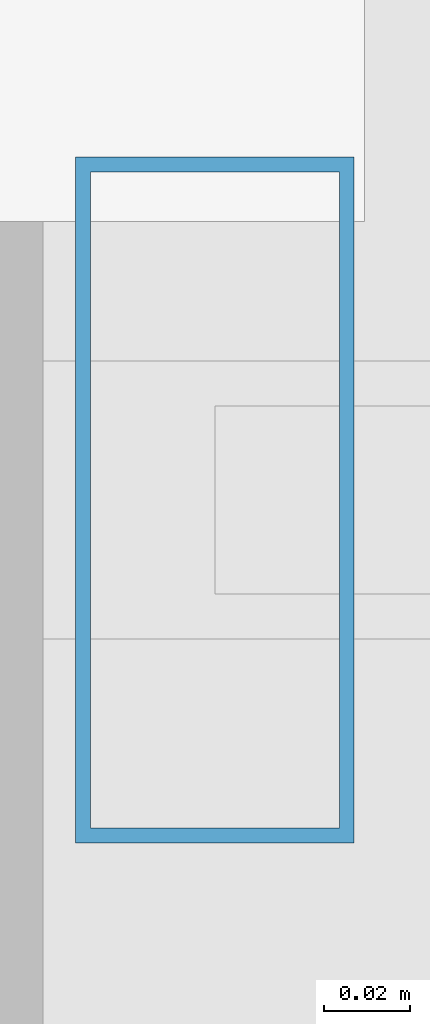
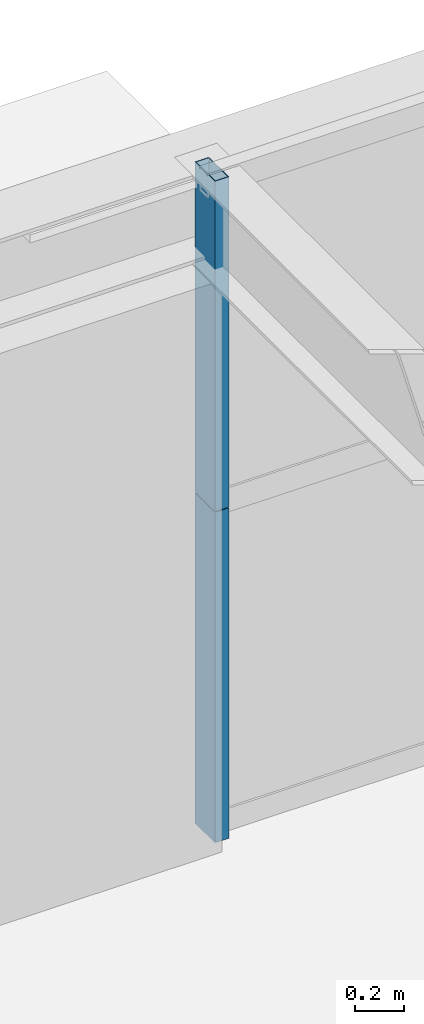
# One storey, part 25 of 37: 2 members, 1 element without a shape of its own.
"""IFC4 building model written with IfcOpenShell, lengths in metres."""

from ifc_helpers import new_model, si_unit, direction, frame, origin, origin_2d, place, context, subcontext, project, spatial, hollow_rectangle, extrude, source, transform, mapped, material, layer, layer_set, material_profile, profile_set, type_object, element, aggregate, save


model = new_model("IFC4")

# Units and contexts
model_context = context("Model", 3, precision=1e-05, world=origin(), true_north=direction((0.0, 1.0)))
body_context = subcontext(model_context, "Body", "Model", "MODEL_VIEW")
ifc_project = project(units=[si_unit("LENGTHUNIT", "METRE"), si_unit("AREAUNIT", "SQUARE_METRE"), si_unit("VOLUMEUNIT", "CUBIC_METRE"), si_unit("PLANEANGLEUNIT", "RADIAN"), si_unit("MASSUNIT", "GRAM", prefix="KILO"), si_unit("THERMODYNAMICTEMPERATUREUNIT", "KELVIN"), si_unit("POWERUNIT", "WATT")], contexts=[model_context])

# Site, building, storey
site_placement = place(None, origin())
site = spatial("IfcSite", under=ifc_project, at=site_placement, CompositionType="ELEMENT")
building_placement = place(site_placement, origin())
building = spatial("IfcBuilding", under=site, at=building_placement, Name="Yuzanri Waterfront Tower", CompositionType="ELEMENT")
storey_placement = place(building_placement, frame((0.0, 0.0, 268.10009765625)))
storey = spatial("IfcBuildingStorey", under=building, at=storey_placement, Name="L71", CompositionType="ELEMENT", Elevation=268.10009765625)

# Curtain wall, members
ifc_material_1 = material(Name="Anodized Architectural Bronze", Category="metal")
ifc_layer = layer(ifc_material_1, 0.159912109375)
ifc_layer_set = layer_set([ifc_layer], Name="Anodized Architectural Bronze")
curtain_wall_type = type_object("IfcCurtainWallType", Name="Anodized Bronze Mid-Rise Residential Acoustic Unitized Curtain Wall 7200", PredefinedType="NOTDEFINED", material=ifc_layer_set)
curtain_wall_placement = place(storey_placement, origin())
curtain_wall = element("IfcCurtainWall", 1, at=curtain_wall_placement, inside=storey, type_object=curtain_wall_type, Name="L71 Curtain Wall CW-L71-NL", PredefinedType="NOTDEFINED")
ifc_material_2 = material(Name="Anodized Architectural Bronze", Category="metal")
ifc_material_profile = material_profile(ifc_material_2, hollow_rectangle(XDim=0.06494140625, YDim=0.159912109375, WallThickness=0.00341796875, at=origin_2d()), Name="CWM 65x160")
ifc_profile_set = profile_set([ifc_material_profile], Name="Anodized Architectural Bronze")
member_type = type_object("IfcMemberType", Name="Anodized Bronze Upper-Zone Curtain-Wall Mullion 65x160", PredefinedType="MULLION", material=ifc_profile_set)
shared_shape = source(origin(), body_context, "Body", "SweptSolid", [
    extrude(hollow_rectangle(XDim=0.06494140625, YDim=0.159912109375, WallThickness=0.00341796875, at=origin_2d()), origin(), (0.0, 0.0, 1.0), 1.637939453125),
])
member_1_placement = place(storey_placement, frame((23.7900390625, 46.25, 0.0), z_axis=(0.0, 0.0, 1.0), x_axis=(1.0, 0.0, 0.0)))
member_1 = element("IfcMember", 2, at=member_1_placement, type_object=member_type, Name="CW-L71-NL Lower Mullion 00", PredefinedType="MULLION", context=body_context, shape_type="MappedRepresentation", body=[
    mapped(shared_shape, transform((0.0, 0.0, 0.0), scale=1.0)),
])
member_2_placement = place(storey_placement, frame((23.7900390625, 46.25, 1.641845703125), z_axis=(0.0, 0.0, 1.0), x_axis=(1.0, 0.0, 0.0)))
member_2 = element("IfcMember", 3, at=member_2_placement, type_object=member_type, Name="CW-L71-NL Upper Mullion 00", PredefinedType="MULLION", context=body_context, shape_type="MappedRepresentation", body=[
    mapped(shared_shape, transform((0.0, 0.0, 0.0), scale=1.0)),
])
aggregate(curtain_wall, [member_1, member_2])

save(model, "model.ifc")
